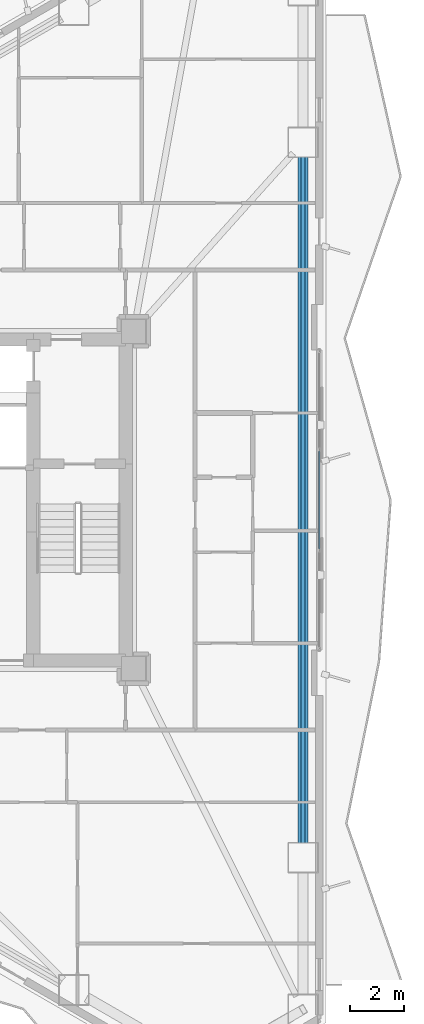
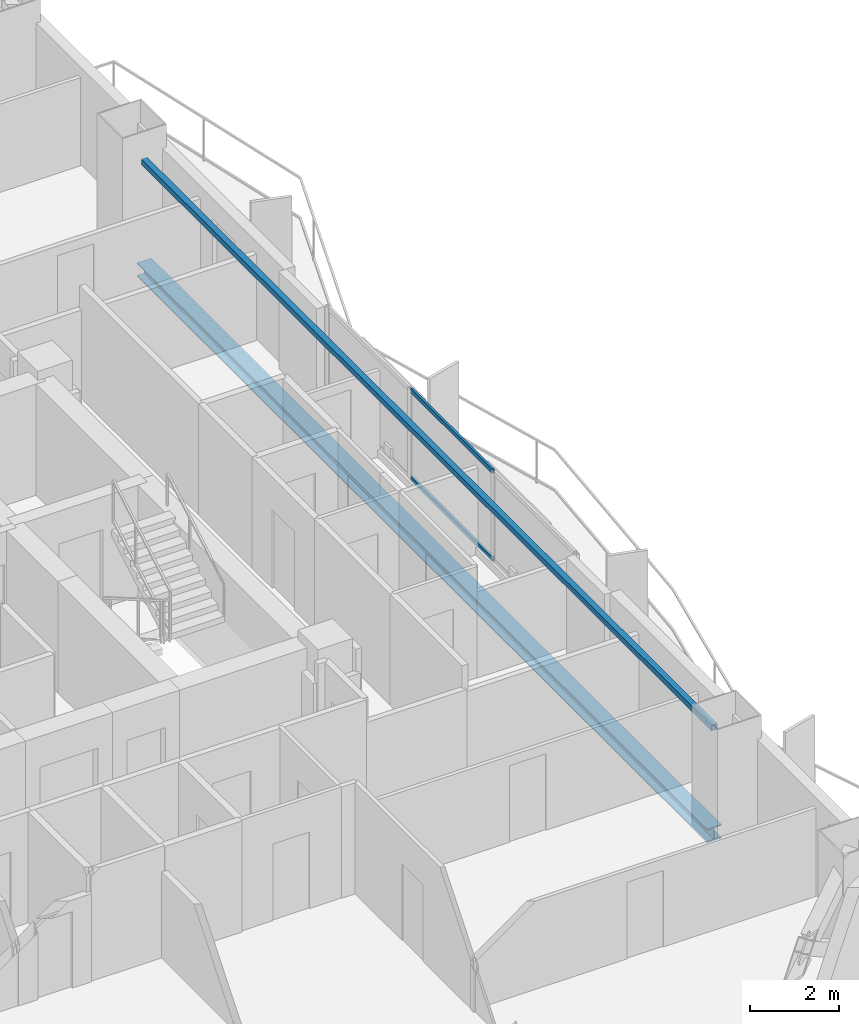
# One storey, part 9 of 23: 2 beams, 2 members, 1 element without a shape of its own.
"""IFC4 building model written with IfcOpenShell, lengths in metres."""

from ifc_helpers import new_model, si_unit, direction, frame, origin, origin_2d, place, context, subcontext, project, spatial, hollow_rectangle, i_section, extrude, material, layer, layer_set, material_profile, profile_set, type_object, element, aggregate, save


model = new_model("IFC4")

# Units and contexts
model_context = context("Model", 3, precision=1e-05, world=origin(), true_north=direction((0.0, 1.0)))
body_context = subcontext(model_context, "Body", "Model", "MODEL_VIEW")
ifc_project = project(units=[si_unit("LENGTHUNIT", "METRE"), si_unit("AREAUNIT", "SQUARE_METRE"), si_unit("VOLUMEUNIT", "CUBIC_METRE"), si_unit("PLANEANGLEUNIT", "RADIAN"), si_unit("MASSUNIT", "GRAM", prefix="KILO")], contexts=[model_context])

# Site, building, storey
site_placement = place(None, origin())
site = spatial("IfcSite", under=ifc_project, at=site_placement, CompositionType="ELEMENT")
building_placement = place(site_placement, origin())
building = spatial("IfcBuilding", under=site, at=building_placement, Name="Mersakhor Tower and Convention Hall", CompositionType="ELEMENT")
storey_placement = place(building_placement, frame((0.0, 0.0, 80.10009765625)))
storey = spatial("IfcBuildingStorey", under=building, at=storey_placement, Name="L21", CompositionType="ELEMENT", Elevation=80.10009765625)

# Beams
ifc_material_1 = material(Name="Steel S355", Category="steel")
ifc_material_profile_1 = material_profile(ifc_material_1, hollow_rectangle(XDim=0.14990234375, YDim=0.14990234375, WallThickness=0.010009765625, at=origin_2d()), Name="SHS 150x150x10")
ifc_profile_set_1 = profile_set([ifc_material_profile_1], Name="Steel S355")
beam_type_1 = type_object("IfcBeamType", Name="BM-GRT-SHS150", PredefinedType="USERDEFINED", material=ifc_profile_set_1)
beam_1_placement = place(storey_placement, frame((42.4345703125, 39.566650390625, 2.47998046875), z_axis=(0.0, -1.0, 0.0), x_axis=(1.0, 0.0, 0.0)))
element("IfcBeam", 1, at=beam_1_placement, inside=storey, type_object=beam_type_1, Name="L21 Facade Support Girt GRT-F2", ObjectType="GIRT", PredefinedType="USERDEFINED", context=body_context, shape_type="SweptSolid", body=[
    extrude(hollow_rectangle(XDim=0.14990234375, YDim=0.14990234375, WallThickness=0.010009765625, at=origin_2d()), origin(), (0.0, 0.0, 1.0), 25.63330078125),
])
ifc_material_2 = material(Name="Steel S355", Category="steel")
ifc_material_profile_2 = material_profile(ifc_material_2, i_section(OverallWidth=0.374755859375, OverallDepth=0.37451171875, WebThickness=0.0166015625, FlangeThickness=0.027099609375, at=origin_2d()), Name="UC 356x368x202")
ifc_profile_set_2 = profile_set([ifc_material_profile_2], Name="Steel S355")
beam_type_2 = type_object("IfcBeamType", Name="BM-SPD-UC356", PredefinedType="SPANDREL", material=ifc_profile_set_2)
beam_2_placement = place(storey_placement, frame((42.4345703125, 39.566650390625, -0.4375), z_axis=(0.0, -1.0, 0.0), x_axis=(1.0, 0.0, 0.0)))
element("IfcBeam", 2, at=beam_2_placement, inside=storey, type_object=beam_type_2, Name="L21 Perimeter Spandrel Beam SPB-06", PredefinedType="SPANDREL", context=body_context, shape_type="SweptSolid", body=[
    extrude(i_section(OverallWidth=0.374755859375, OverallDepth=0.37451171875, WebThickness=0.0166015625, FlangeThickness=0.027099609375, at=origin_2d()), origin(), (0.0, 0.0, 1.0), 25.63330078125),
])

# Curtain wall, members
ifc_material_3 = material(Name="Dark solar low-E aluminium curtain wall", Category="aluminium")
ifc_layer = layer(ifc_material_3, 0.159912109375)
ifc_layer_set = layer_set([ifc_layer], Name="Dark solar low-E aluminium curtain wall")
curtain_wall_type = type_object("IfcCurtainWallType", Name="CW-SYS-01", PredefinedType="USERDEFINED", material=ifc_layer_set)
curtain_wall_placement = place(storey_placement, origin())
curtain_wall = element("IfcCurtainWall", 3, at=curtain_wall_placement, inside=storey, type_object=curtain_wall_type, Name="L21 Dark-Glass Curtain Wall F2-B2", ObjectType="CURTAIN WALL", PredefinedType="USERDEFINED")
ifc_material_4 = material(Name="Anodised aluminium EN AW-6063 T6", Category="aluminium")
ifc_material_profile_3 = material_profile(ifc_material_4, hollow_rectangle(XDim=0.06005859375, YDim=0.1201171875, WallThickness=0.0048828125, at=origin_2d()), Name="RHS 120x60x5")
ifc_profile_set_3 = profile_set([ifc_material_profile_3], Name="Anodised aluminium EN AW-6063 T6")
member_type = type_object("IfcMemberType", Name="CWT-120x60", PredefinedType="USERDEFINED", material=ifc_profile_set_3)
member_1_placement = place(storey_placement, frame((43.03466796875, 28.583984375, 0.22998046875), z_axis=(0.0, -1.0, 0.0), x_axis=(1.0, 0.0, 0.0)))
member_1 = element("IfcMember", 4, at=member_1_placement, type_object=member_type, Name="CW-01 transom 2.1", ObjectType="TRANSOM", PredefinedType="USERDEFINED", context=body_context, shape_type="SweptSolid", body=[
    extrude(hollow_rectangle(XDim=0.06005859375, YDim=0.1201171875, WallThickness=0.0048828125, at=origin_2d()), origin(), (0.0, 0.0, 1.0), 3.66796875),
])
member_2_placement = place(storey_placement, frame((43.03466796875, 28.583984375, 2.639892578125), z_axis=(0.0, -1.0, 0.0), x_axis=(1.0, 0.0, 0.0)))
member_2 = element("IfcMember", 5, at=member_2_placement, type_object=member_type, Name="CW-01 transom 2.2", ObjectType="TRANSOM", PredefinedType="USERDEFINED", context=body_context, shape_type="SweptSolid", body=[
    extrude(hollow_rectangle(XDim=0.06005859375, YDim=0.1201171875, WallThickness=0.0048828125, at=origin_2d()), origin(), (0.0, 0.0, 1.0), 3.66796875),
])
aggregate(curtain_wall, [member_1, member_2])

save(model, "model.ifc")
